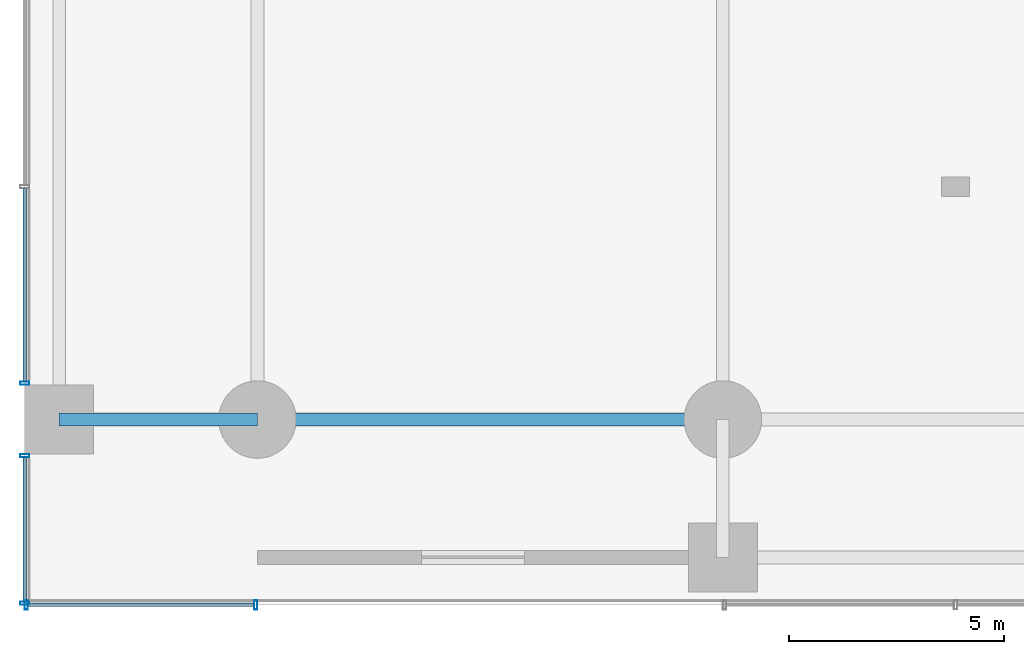
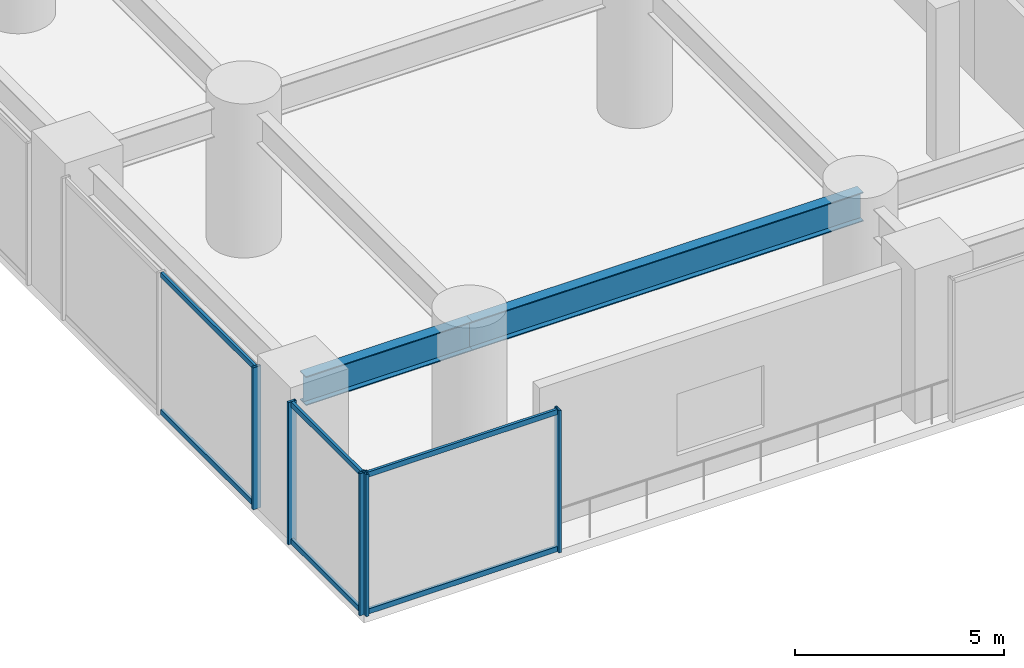
# One storey, part 2 of 35: 11 members, 2 beams, 3 elements without a shape of their own.
"""IFC4 building model written with IfcOpenShell, lengths in metres."""

from ifc_helpers import new_model, si_unit, direction, frame, origin, origin_2d, place, context, subcontext, project, spatial, hollow_rectangle, i_section, extrude, material, layer, layer_set, material_profile, profile_set, type_object, element, aggregate, save


model = new_model("IFC4")

# Units and contexts
model_context = context("Model", 3, precision=1e-05, world=origin(), true_north=direction((0.0, 1.0)))
body_context = subcontext(model_context, "Body", "Model", "MODEL_VIEW")
ifc_project = project(units=[si_unit("LENGTHUNIT", "METRE"), si_unit("AREAUNIT", "SQUARE_METRE"), si_unit("VOLUMEUNIT", "CUBIC_METRE"), si_unit("PLANEANGLEUNIT", "RADIAN"), si_unit("MASSUNIT", "GRAM", prefix="KILO")], contexts=[model_context])

# Site, building, storey
site_placement = place(None, origin())
site = spatial("IfcSite", under=ifc_project, at=site_placement, CompositionType="ELEMENT")
building_placement = place(site_placement, origin())
building = spatial("IfcBuilding", under=site, at=building_placement, Name="Surkhivell Harbour Commons", CompositionType="ELEMENT")
storey_placement = place(building_placement, frame((0.0, 0.0, 13.5)))
storey = spatial("IfcBuildingStorey", under=building, at=storey_placement, Name="L03", CompositionType="ELEMENT", Elevation=13.5)

# Beams
ifc_material_1 = material(Name="Steel S460", Category="steel")
ifc_material_profile_1 = material_profile(ifc_material_1, i_section(OverallWidth=0.2939453125, OverallDepth=0.85107421875, WebThickness=0.01611328125, FlangeThickness=0.02685546875, at=origin_2d()), Name="UB838x292x226")
ifc_profile_set_1 = profile_set([ifc_material_profile_1], Name="Steel S460")
beam_type = type_object("IfcBeamType", Name="BM-SPN-838", PredefinedType="SPANDREL", material=ifc_profile_set_1)
beam_1_placement = place(storey_placement, frame((-37.0, -21.60009765625, 3.724609375), z_axis=(1.0, 0.0, 0.0), x_axis=(0.0, 1.0, 0.0)))
element("IfcBeam", 1, at=beam_1_placement, inside=storey, type_object=beam_type, Name="L03 Framing Beam (-37.0,-21.6)", PredefinedType="SPANDREL", context=body_context, shape_type="SweptSolid", body=[
    extrude(i_section(OverallWidth=0.2939453125, OverallDepth=0.85107421875, WebThickness=0.01611328125, FlangeThickness=0.02685546875, at=origin_2d()), origin(), (0.0, 0.0, 1.0), 4.60009765625),
])
beam_2_placement = place(storey_placement, frame((-32.39990234375, -21.60009765625, 3.724609375), z_axis=(1.0, 0.0, 0.0), x_axis=(0.0, 1.0, 0.0)))
element("IfcBeam", 2, at=beam_2_placement, inside=storey, type_object=beam_type, Name="L03 Framing Beam (-32.4,-21.6)", PredefinedType="SPANDREL", context=body_context, shape_type="SweptSolid", body=[
    extrude(i_section(OverallWidth=0.2939453125, OverallDepth=0.85107421875, WebThickness=0.01611328125, FlangeThickness=0.02685546875, at=origin_2d()), origin(), (0.0, 0.0, 1.0), 10.7998046875),
])

# Curtain wall, members
ifc_material_2 = material(Name="Anodised pale-metal aluminium and insulated glazing", Category="aluminium")
ifc_layer = layer(ifc_material_2, 0.239990234375)
ifc_layer_set = layer_set([ifc_layer], Name="Anodised pale-metal aluminium and insulated glazing")
curtain_wall_type = type_object("IfcCurtainWallType", Name="CW-SYS-POD", PredefinedType="NOTDEFINED", material=ifc_layer_set)
curtain_wall_1_placement = place(storey_placement, origin())
curtain_wall_1 = element("IfcCurtainWall", 3, at=curtain_wall_1_placement, inside=storey, type_object=curtain_wall_type, Name="L03 Curtain Wall CW-L03-S1", PredefinedType="NOTDEFINED")
ifc_material_3 = material(Name="Anodised pale-metal aluminium alloy 6063-T6", Category="aluminium")
ifc_material_profile_2 = material_profile(ifc_material_3, hollow_rectangle(XDim=0.074951171875, YDim=0.219970703125, WallThickness=0.00390625, at=origin_2d()), Name="ALU-MULL-75x220")
ifc_profile_set_2 = profile_set([ifc_material_profile_2], Name="Anodised pale-metal aluminium alloy 6063-T6")
member_type_1 = type_object("IfcMemberType", Name="CWM-220", PredefinedType="MULLION", material=ifc_profile_set_2)
member_1_placement = place(storey_placement, frame((-32.4375, -25.89990234375, 0.0), z_axis=(0.0, 0.0, 1.0), x_axis=(-1.0, 0.0, 0.0)))
member_1 = element("IfcMember", 4, at=member_1_placement, type_object=member_type_1, Name="CW-POD mullion 1", PredefinedType="MULLION", context=body_context, shape_type="SweptSolid", body=[
    extrude(hollow_rectangle(XDim=0.074951171875, YDim=0.219970703125, WallThickness=0.00390625, at=origin_2d()), origin(), (0.0, 0.0, 1.0), 4.14990234375),
])
member_2_placement = place(storey_placement, frame((-37.762451171875, -25.89990234375, 0.0), z_axis=(0.0, 0.0, 1.0), x_axis=(-1.0, 0.0, 0.0)))
member_2 = element("IfcMember", 5, at=member_2_placement, type_object=member_type_1, Name="CW-POD mullion 2", PredefinedType="MULLION", context=body_context, shape_type="SweptSolid", body=[
    extrude(hollow_rectangle(XDim=0.074951171875, YDim=0.219970703125, WallThickness=0.00390625, at=origin_2d()), origin(), (0.0, 0.0, 1.0), 4.14990234375),
])

curtain_wall_2_placement = place(storey_placement, origin())
curtain_wall_2 = element("IfcCurtainWall", 6, at=curtain_wall_2_placement, inside=storey, type_object=curtain_wall_type, Name="L03 Curtain Wall CW-L03-W1", PredefinedType="NOTDEFINED")
member_3_placement = place(storey_placement, frame((-37.800048828125, -25.862548828125, 0.0), z_axis=(0.0, 0.0, 1.0), x_axis=(0.0, 1.0, 0.0)))
member_3 = element("IfcMember", 7, at=member_3_placement, type_object=member_type_1, Name="CW-POD mullion 1", PredefinedType="MULLION", context=body_context, shape_type="SweptSolid", body=[
    extrude(hollow_rectangle(XDim=0.074951171875, YDim=0.219970703125, WallThickness=0.00390625, at=origin_2d()), origin(), (0.0, 0.0, 1.0), 4.14990234375),
])
member_4_placement = place(storey_placement, frame((-37.800048828125, -22.439453125, 0.0), z_axis=(0.0, 0.0, 1.0), x_axis=(0.0, 1.0, 0.0)))
member_4 = element("IfcMember", 8, at=member_4_placement, type_object=member_type_1, Name="CW-POD mullion 2", PredefinedType="MULLION", context=body_context, shape_type="SweptSolid", body=[
    extrude(hollow_rectangle(XDim=0.074951171875, YDim=0.219970703125, WallThickness=0.00390625, at=origin_2d()), origin(), (0.0, 0.0, 1.0), 4.14990234375),
])

# Curtain wall, member
curtain_wall_3_placement = place(storey_placement, origin())
curtain_wall_3 = element("IfcCurtainWall", 9, at=curtain_wall_3_placement, inside=storey, type_object=curtain_wall_type, Name="L03 Curtain Wall CW-L03-W2", PredefinedType="NOTDEFINED")
member_5_placement = place(storey_placement, frame((-37.800048828125, -20.760498046875, 0.0), z_axis=(0.0, 0.0, 1.0), x_axis=(0.0, 1.0, 0.0)))
member_5 = element("IfcMember", 10, at=member_5_placement, type_object=member_type_1, Name="CW-POD mullion 1", PredefinedType="MULLION", context=body_context, shape_type="SweptSolid", body=[
    extrude(hollow_rectangle(XDim=0.074951171875, YDim=0.219970703125, WallThickness=0.00390625, at=origin_2d()), origin(), (0.0, 0.0, 1.0), 4.14990234375),
])

# Member
ifc_material_profile_3 = material_profile(ifc_material_3, hollow_rectangle(XDim=0.074951171875, YDim=0.14990234375, WallThickness=0.00341796875, at=origin_2d()), Name="ALU-TRAN-75x150")
ifc_profile_set_3 = profile_set([ifc_material_profile_3], Name="Anodised pale-metal aluminium alloy 6063-T6")
member_type_2 = type_object("IfcMemberType", Name="CWT-150", PredefinedType="USERDEFINED", material=ifc_profile_set_3)
member_6_placement = place(storey_placement, frame((-32.47509765625, -25.89990234375, 0.074951171875), z_axis=(-1.0, 0.0, 0.0), x_axis=(0.0, -1.0, 0.0)))
member_6 = element("IfcMember", 11, at=member_6_placement, type_object=member_type_2, Name="CW-POD transom 1.1", ObjectType="TRANSOM", PredefinedType="USERDEFINED", context=body_context, shape_type="SweptSolid", body=[
    extrude(hollow_rectangle(XDim=0.074951171875, YDim=0.14990234375, WallThickness=0.00341796875, at=origin_2d()), origin(), (0.0, 0.0, 1.0), 5.25),
])

member_7_placement = place(storey_placement, frame((-32.47509765625, -25.89990234375, 4.074951171875), z_axis=(-1.0, 0.0, 0.0), x_axis=(0.0, -1.0, 0.0)))
member_7 = element("IfcMember", 12, at=member_7_placement, type_object=member_type_2, Name="CW-POD transom 1.2", ObjectType="TRANSOM", PredefinedType="USERDEFINED", context=body_context, shape_type="SweptSolid", body=[
    extrude(hollow_rectangle(XDim=0.074951171875, YDim=0.14990234375, WallThickness=0.00341796875, at=origin_2d()), origin(), (0.0, 0.0, 1.0), 5.25),
])

aggregate(curtain_wall_1, [member_1, member_2, member_6, member_7])

member_8_placement = place(storey_placement, frame((-37.800048828125, -25.824951171875, 0.074951171875), z_axis=(0.0, 1.0, 0.0), x_axis=(-1.0, 0.0, 0.0)))
member_8 = element("IfcMember", 13, at=member_8_placement, type_object=member_type_2, Name="CW-POD transom 1.1", ObjectType="TRANSOM", PredefinedType="USERDEFINED", context=body_context, shape_type="SweptSolid", body=[
    extrude(hollow_rectangle(XDim=0.074951171875, YDim=0.14990234375, WallThickness=0.00341796875, at=origin_2d()), origin(), (0.0, 0.0, 1.0), 3.347900390625),
])

member_9_placement = place(storey_placement, frame((-37.800048828125, -25.824951171875, 4.074951171875), z_axis=(0.0, 1.0, 0.0), x_axis=(-1.0, 0.0, 0.0)))
member_9 = element("IfcMember", 14, at=member_9_placement, type_object=member_type_2, Name="CW-POD transom 1.2", ObjectType="TRANSOM", PredefinedType="USERDEFINED", context=body_context, shape_type="SweptSolid", body=[
    extrude(hollow_rectangle(XDim=0.074951171875, YDim=0.14990234375, WallThickness=0.00341796875, at=origin_2d()), origin(), (0.0, 0.0, 1.0), 3.347900390625),
])

aggregate(curtain_wall_2, [member_3, member_4, member_8, member_9])

member_10_placement = place(storey_placement, frame((-37.800048828125, -20.722900390625, 0.074951171875), z_axis=(0.0, 1.0, 0.0), x_axis=(-1.0, 0.0, 0.0)))
member_10 = element("IfcMember", 15, at=member_10_placement, type_object=member_type_2, Name="CW-POD transom 1.1", ObjectType="TRANSOM", PredefinedType="USERDEFINED", context=body_context, shape_type="SweptSolid", body=[
    extrude(hollow_rectangle(XDim=0.074951171875, YDim=0.14990234375, WallThickness=0.00341796875, at=origin_2d()), origin(), (0.0, 0.0, 1.0), 4.4853515625),
])

member_11_placement = place(storey_placement, frame((-37.800048828125, -20.722900390625, 4.074951171875), z_axis=(0.0, 1.0, 0.0), x_axis=(-1.0, 0.0, 0.0)))
member_11 = element("IfcMember", 16, at=member_11_placement, type_object=member_type_2, Name="CW-POD transom 1.2", ObjectType="TRANSOM", PredefinedType="USERDEFINED", context=body_context, shape_type="SweptSolid", body=[
    extrude(hollow_rectangle(XDim=0.074951171875, YDim=0.14990234375, WallThickness=0.00341796875, at=origin_2d()), origin(), (0.0, 0.0, 1.0), 4.4853515625),
])

aggregate(curtain_wall_3, [member_5, member_10, member_11])

save(model, "model.ifc")
